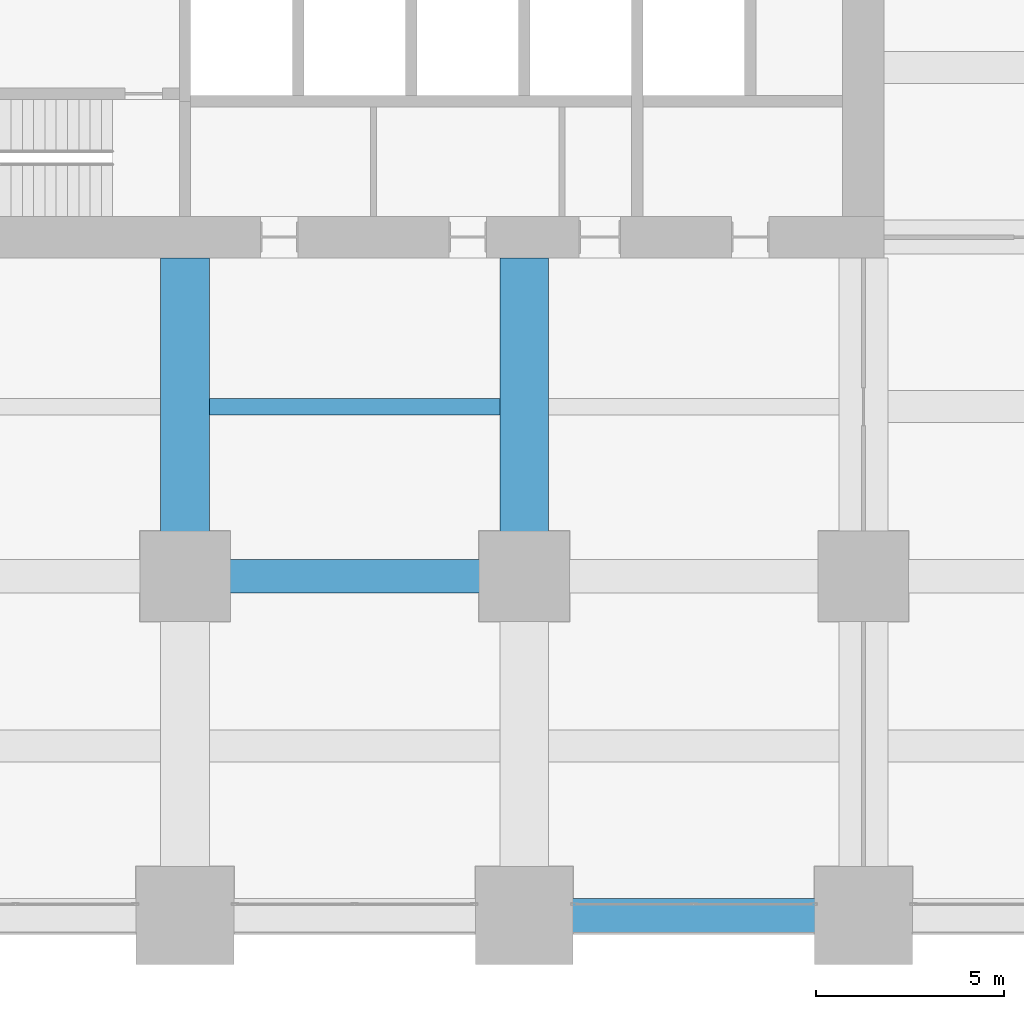
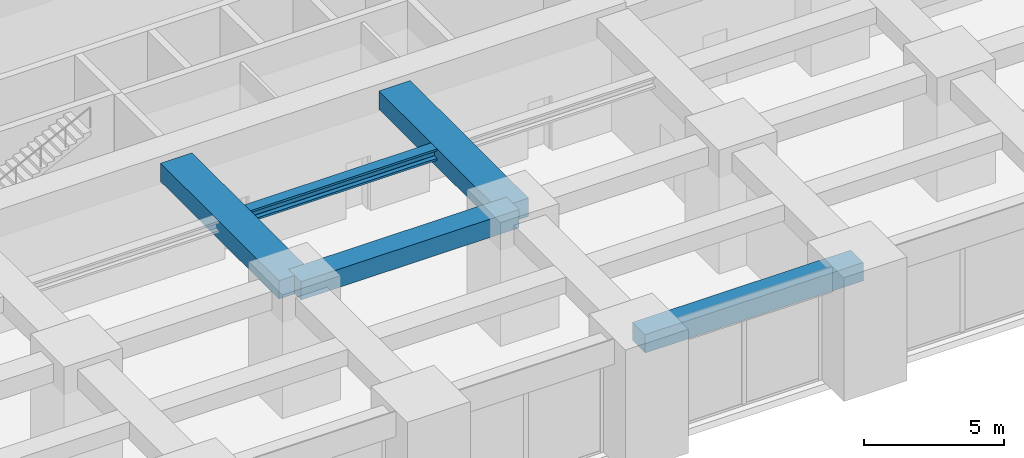
# One storey, part 14 of 45: 5 beams.
"""IFC4 building model written with IfcOpenShell, lengths in metres."""

from ifc_helpers import new_model, si_unit, direction, frame, origin, origin_2d, place, context, subcontext, project, spatial, rectangle, i_section, extrude, material, material_profile, profile_set, type_object, element, save


model = new_model("IFC4")

# Units and contexts
model_context = context("Model", 3, precision=1e-05, world=origin(), true_north=direction((0.0, 1.0)))
body_context = subcontext(model_context, "Body", "Model", "MODEL_VIEW")
ifc_project = project(units=[si_unit("LENGTHUNIT", "METRE"), si_unit("AREAUNIT", "SQUARE_METRE"), si_unit("VOLUMEUNIT", "CUBIC_METRE"), si_unit("PLANEANGLEUNIT", "RADIAN"), si_unit("MASSUNIT", "GRAM", prefix="KILO")], contexts=[model_context])

# Site, building, storey
site_placement = place(None, origin())
site = spatial("IfcSite", under=ifc_project, at=site_placement, CompositionType="ELEMENT")
building_placement = place(site_placement, origin())
building = spatial("IfcBuilding", under=site, at=building_placement, Name="Zorevar Civic Tower", CompositionType="ELEMENT")
storey_placement = place(building_placement, frame((0.0, 0.0, 5.39990234375)))
storey = spatial("IfcBuildingStorey", under=building, at=storey_placement, Name="L01", CompositionType="ELEMENT", Elevation=5.39990234375)

# Beams
ifc_material_1 = material(Name="Concrete C50/60", Category="concrete")
ifc_material_profile_1 = material_profile(ifc_material_1, rectangle(XDim=1.300048828125, YDim=0.800048828125, at=origin_2d()), Name="RC 1300x800")
ifc_profile_set_1 = profile_set([ifc_material_profile_1], Name="Concrete C50/60")
beam_type_1 = type_object("IfcBeamType", Name="Beam RC 1300x800", PredefinedType="BEAM", material=ifc_profile_set_1)
for number, where, z_axis, x_axis, name in (
    (1, (27.0, 9.0, 4.7001953125), (0.0, 1.0, 0.0), (-1.0, 0.0, 0.0), "Girder L02"),
    (2, (36.0, 9.0, 4.7001953125), (0.0, 1.0, 0.0), (-1.0, 0.0, 0.0), "Girder L02"),
):
    element("IfcBeam", number, at=place(storey_placement, frame(where, z_axis=z_axis, x_axis=x_axis)), inside=storey, type_object=beam_type_1, Name=name, PredefinedType="BEAM", context=body_context, shape_type="SweptSolid", body=[
        extrude(rectangle(XDim=1.300048828125, YDim=0.800048828125, at=origin_2d()), origin(), (0.0, 0.0, 1.0), 8.449951171875),
    ])
ifc_material_2 = material(Name="Concrete C50/60", Category="concrete")
ifc_material_profile_2 = material_profile(ifc_material_2, rectangle(XDim=0.89990234375, YDim=0.800048828125, at=origin_2d()), Name="RC 900x800")
ifc_profile_set_2 = profile_set([ifc_material_profile_2], Name="Concrete C50/60")
beam_type_2 = type_object("IfcBeamType", Name="Beam RC 900x800", PredefinedType="BEAM", material=ifc_profile_set_2)
beam_1_placement = place(storey_placement, frame((27.0, 9.0, 4.7001953125), z_axis=(1.0, 0.0, 0.0), x_axis=(0.0, 1.0, 0.0)))
element("IfcBeam", 3, at=beam_1_placement, inside=storey, type_object=beam_type_2, Name="Girder L02", PredefinedType="BEAM", context=body_context, shape_type="SweptSolid", body=[
    extrude(rectangle(XDim=0.89990234375, YDim=0.800048828125, at=origin_2d()), origin(), (0.0, 0.0, 1.0), 9.0),
])
ifc_material_3 = material(Name="Steel S460M (HISTAR 460)", Category="steel")
ifc_material_profile_3 = material_profile(ifc_material_3, i_section(OverallWidth=0.431884765625, OverallDepth=0.498046875, WebThickness=0.0556640625, FlangeThickness=0.0888671875, FilletRadius=0.014892578125, at=origin_2d()), Name="HD 400x744")
ifc_profile_set_3 = profile_set([ifc_material_profile_3], Name="Steel S460M (HISTAR 460)")
beam_type_3 = type_object("IfcBeamType", Name="Core bay beam HD 400x744", PredefinedType="BEAM", material=ifc_profile_set_3)
beam_2_placement = place(storey_placement, frame((27.64990234375, 13.5, 4.85107421875), z_axis=(1.0, 0.0, 0.0), x_axis=(0.0, 1.0, 0.0)))
element("IfcBeam", 4, at=beam_2_placement, inside=storey, type_object=beam_type_3, Name="Secondary beam L02", PredefinedType="BEAM", context=body_context, shape_type="SweptSolid", body=[
    extrude(i_section(OverallWidth=0.431884765625, OverallDepth=0.498046875, WebThickness=0.0556640625, FlangeThickness=0.0888671875, FilletRadius=0.014892578125, at=origin_2d()), origin(), (0.0, 0.0, 1.0), 7.7001953125),
])
ifc_material_4 = material(Name="Concrete C50/60", Category="concrete")
ifc_material_profile_4 = material_profile(ifc_material_4, rectangle(XDim=0.89990234375, YDim=0.800048828125, at=origin_2d()), Name="RC 900x800")
ifc_profile_set_4 = profile_set([ifc_material_profile_4], Name="Concrete C50/60")
beam_type_4 = type_object("IfcBeamType", Name="Edge beam RC 900x800", PredefinedType="SPANDREL", material=ifc_profile_set_4)
beam_3_placement = place(storey_placement, frame((36.0, 0.0, 4.7001953125), z_axis=(1.0, 0.0, 0.0), x_axis=(0.0, 1.0, 0.0)))
element("IfcBeam", 5, at=beam_3_placement, inside=storey, type_object=beam_type_4, Name="Edge beam L02", PredefinedType="SPANDREL", context=body_context, shape_type="SweptSolid", body=[
    extrude(rectangle(XDim=0.89990234375, YDim=0.800048828125, at=origin_2d()), origin(), (0.0, 0.0, 1.0), 9.0),
])

save(model, "model.ifc")
